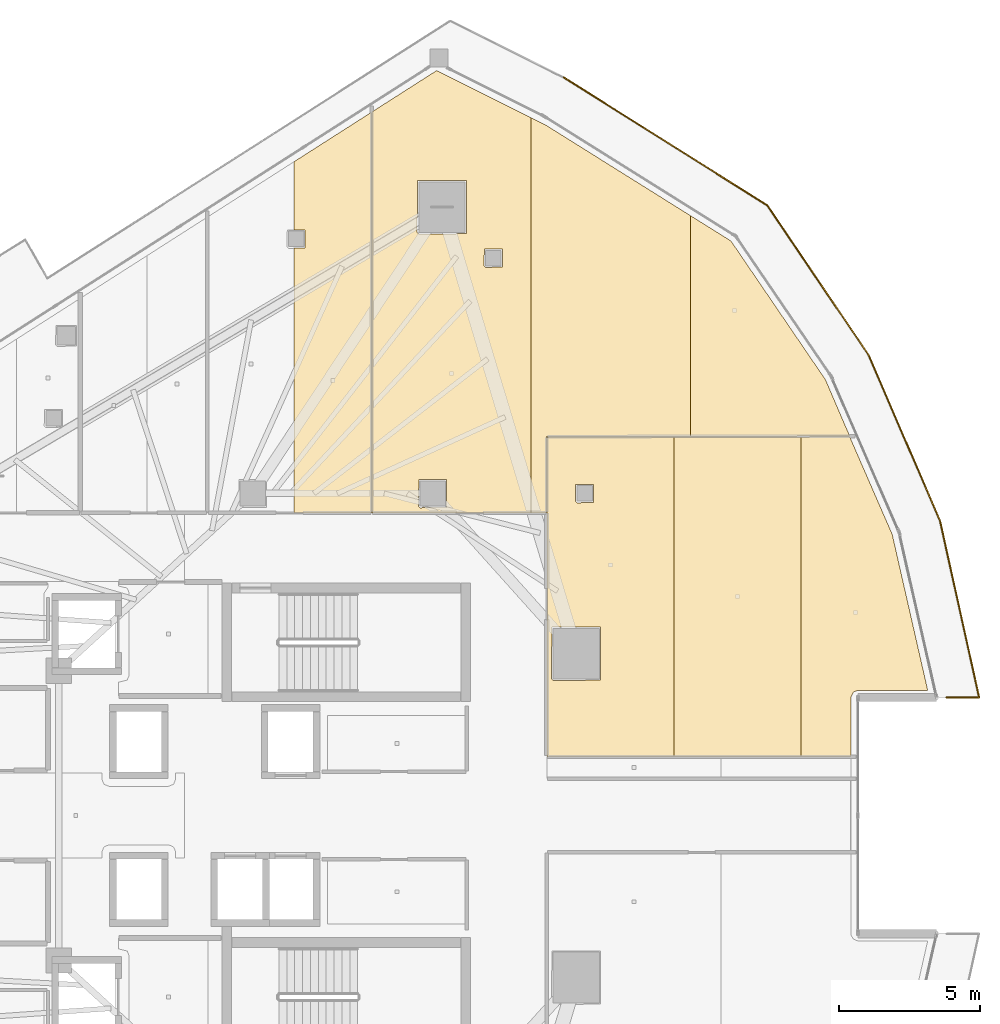
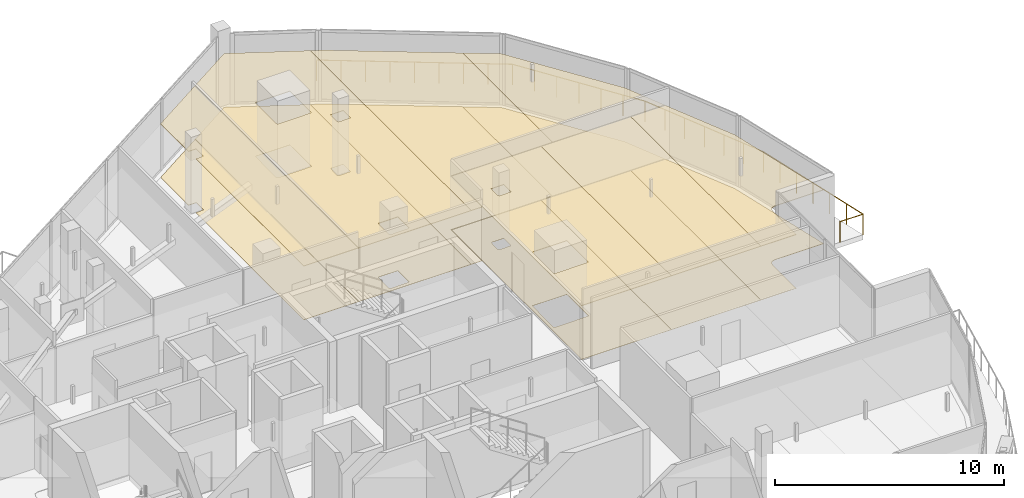
# One storey, part 40 of 40: 14 coverings, 1 railing.
"""IFC4 building model written with IfcOpenShell, lengths in metres."""

import ifcopenshell
import ifcopenshell.guid

model = None  # the IFC model being written
_history = None  # IfcOwnerHistory: only IFC2X3 demands one
_inside = {}  # id of a spatial element -> (the spatial element, [elements in it])
_under = {}  # id of a project, library or spatial element -> (it, [spatial elements below it])
_declared = {}  # id of a project -> (the project, [libraries it declares])
_typed = {}  # id of a type object -> (the type object, [elements of that type])
_made_of = {}  # id of a material, layer set ... -> (it, [elements and type objects made of it])


def new_model(schema):
    """Start an empty IFC model of exactly this schema.

    Asked for "IFC4X3", IfcOpenShell would pick the latest addendum, in which some entities
    have other attributes; the version numbers below select the first issue.
    IFC2X3 requires an IfcOwnerHistory on every rooted entity: one is made here for all.
    """
    global model, _history
    if schema == "IFC4X3":
        model = ifcopenshell.file(schema_version=(4, 3, 0, 0))
    else:
        model = ifcopenshell.file(schema=schema)
    _inside.clear()
    _under.clear()
    _declared.clear()
    _typed.clear()
    _made_of.clear()
    _history = None
    if model.schema == "IFC2X3":
        org = make("IfcOrganization", Name="unknown")
        user = make(
            "IfcPersonAndOrganization",
            ThePerson=make("IfcPerson", FamilyName="unknown"),
            TheOrganization=org,
        )
        app = make(
            "IfcApplication",
            ApplicationDeveloper=org,
            Version="unknown",
            ApplicationFullName="unknown",
            ApplicationIdentifier="unknown",
        )
        _history = make(
            "IfcOwnerHistory",
            OwningUser=user,
            OwningApplication=app,
            ChangeAction="ADDED",
            CreationDate=0,
        )
    return model


def make(cls, **values):
    """One entity of the class cls with the attributes given. An attribute that is None is left unset."""
    return model.create_entity(
        cls, **{name: value for name, value in values.items() if value is not None}
    )


def rooted(cls, **values):
    """An entity with a GlobalId (a new one), such as an element, a storey or a relation."""
    return make(cls, GlobalId=ifcopenshell.guid.new(), OwnerHistory=_history, **values)


def si_unit(unit_type, name, prefix=None):
    """IfcSIUnit, for example si_unit("LENGTHUNIT", "METRE", prefix="MILLI")."""
    return make("IfcSIUnit", UnitType=unit_type, Prefix=prefix, Name=name)


def assignment(units):
    """IfcUnitAssignment: the units of a project."""
    return None if units is None else make("IfcUnitAssignment", Units=units)


def point(xyz):
    """IfcCartesianPoint."""
    return None if xyz is None else make("IfcCartesianPoint", Coordinates=xyz)


def direction(xyz):
    """IfcDirection."""
    return None if xyz is None else make("IfcDirection", DirectionRatios=xyz)


def frame(location, z_axis=None, x_axis=None):
    """IfcAxis2Placement3D, a coordinate frame: its origin and axes. An axis left out is left unset."""
    return make(
        "IfcAxis2Placement3D",
        Location=point(location),
        Axis=direction(z_axis),
        RefDirection=direction(x_axis),
    )


def frame_2d(location, x_axis=None):
    """IfcAxis2Placement2D, a coordinate frame in the plane: its origin and x axis."""
    return make(
        "IfcAxis2Placement2D", Location=point(location), RefDirection=direction(x_axis)
    )


def origin():
    """The frame at (0, 0, 0) with its axes left unset."""
    return frame((0.0, 0.0, 0.0))


def origin_2d():
    """The frame at (0, 0) in the plane with its x axis left unset."""
    return frame_2d((0.0, 0.0))


def place(relative_to, where):
    """IfcLocalPlacement: puts the frame where relative to a parent placement (None: the world)."""
    return make(
        "IfcLocalPlacement", PlacementRelTo=relative_to, RelativePlacement=where
    )


def context(
    kind, dimensions, precision=None, world=None, true_north=None, identifier=None
):
    """IfcGeometricRepresentationContext, for example the 3D "Model" context."""
    return make(
        "IfcGeometricRepresentationContext",
        ContextIdentifier=identifier,
        ContextType=kind,
        CoordinateSpaceDimension=dimensions,
        Precision=precision,
        WorldCoordinateSystem=world,
        TrueNorth=true_north,
    )


def subcontext(parent, identifier, kind, view, scale=None):
    """IfcGeometricRepresentationSubContext, for example "Body" below "Model"."""
    return make(
        "IfcGeometricRepresentationSubContext",
        ContextIdentifier=identifier,
        ContextType=kind,
        ParentContext=parent,
        TargetScale=scale,
        TargetView=view,
    )


def project(units=None, contexts=None):
    """IfcProject with its units and contexts."""
    return rooted(
        "IfcProject",
        Name="project",
        RepresentationContexts=contexts,
        UnitsInContext=assignment(units),
    )


def spatial(cls, under=None, at=None, **own):
    """A site, building, storey or space (cls), placed at a placement, below another one or the project."""
    s = rooted(cls, ObjectPlacement=at, **own)
    if under is not None:
        _under.setdefault(under.id(), (under, []))[1].append(s)
    return s


def polyline(points):
    """IfcPolyline through the points."""
    return make("IfcPolyline", Points=[point(p) for p in points])


def profile(cls, at=None, kind="AREA", **sizes):
    """A parametric profile (cls). Its sizes go by their IFC names, for example OverallWidth=200.0."""
    return make(cls, ProfileType=kind, Position=at, **sizes)


def circle(**sizes):
    """IfcCircleProfileDef."""
    return profile("IfcCircleProfileDef", **sizes)


def outline(outer, holes=None, kind="AREA"):
    """IfcArbitraryClosedProfileDef: a profile drawn as a closed curve; with holes, ...WithVoids."""
    if holes is None:
        return make("IfcArbitraryClosedProfileDef", ProfileType=kind, OuterCurve=outer)
    return make(
        "IfcArbitraryProfileDefWithVoids",
        ProfileType=kind,
        OuterCurve=outer,
        InnerCurves=holes,
    )


def extrude(swept, where, along, depth):
    """IfcExtrudedAreaSolid: the profile swept, set in the frame where, extruded along a direction by depth."""
    return make(
        "IfcExtrudedAreaSolid",
        SweptArea=swept,
        Position=where,
        ExtrudedDirection=direction(along),
        Depth=depth,
    )


def shape(context_of_items, identifier, shape_type, items):
    """IfcShapeRepresentation: the items that make up one representation, for example the "Body"."""
    return make(
        "IfcShapeRepresentation",
        ContextOfItems=context_of_items,
        RepresentationIdentifier=identifier,
        RepresentationType=shape_type,
        Items=items,
    )


def material(Name=None, Category=None):
    """IfcMaterial."""
    return make("IfcMaterial", Name=Name, Category=Category)


def layer(
    of_material, thickness, ventilated=None, Name=None, Category=None, Priority=None
):
    """IfcMaterialLayer: one layer of a wall or slab, of a material (None: an air gap)."""
    return make(
        "IfcMaterialLayer",
        Material=of_material,
        LayerThickness=thickness,
        IsVentilated=ventilated,
        Name=Name,
        Category=Category,
        Priority=Priority,
    )


def layer_set(layers, Name=None):
    """IfcMaterialLayerSet."""
    return make("IfcMaterialLayerSet", MaterialLayers=layers, LayerSetName=Name)


def made_of(thing, what):
    """Note that an element or type object is made of a material, layer set ...; save() writes the relation."""
    if what is not None:
        _made_of.setdefault(what.id(), (what, []))[1].append(thing)
    return thing


def type_object(cls, material=None, **own):
    """A type object (cls), such as IfcWallType, which elements share."""
    return made_of(rooted(cls, **own), material)


def element(
    cls,
    number,
    at=None,
    inside=None,
    cuts=None,
    type_object=None,
    material=None,
    context=None,
    identifier="Body",
    shape_type=None,
    held_by="IfcProductDefinitionShape",
    body=None,
    shapes=None,
    **own,
):
    """One element of the class cls, such as IfcWall. Its Tag is "e" and its number.

    at: its placement. inside: the storey or other place that contains it. cuts: it is an
    opening in that element (IfcRelVoidsElement). A single representation is given by context,
    identifier, shape_type and body (its items); several are given by shapes. held_by: the class
    of the entity that holds the representations. save() writes the other relations.
    """
    e = rooted(cls, Tag="e%d" % number, ObjectPlacement=at, **own)
    if body is not None:
        shapes = [shape(context, identifier, shape_type, body)]
    if shapes is not None:
        e.Representation = make(held_by, Representations=shapes)
    if inside is not None:
        _inside.setdefault(inside.id(), (inside, []))[1].append(e)
    if cuts is not None:
        rooted(
            "IfcRelVoidsElement", RelatingBuildingElement=cuts, RelatedOpeningElement=e
        )
    if type_object is not None:
        _typed.setdefault(type_object.id(), (type_object, []))[1].append(e)
    return made_of(e, material)


def aggregate(whole, parts):
    """IfcRelAggregates: a whole, such as a stair, and the parts it consists of."""
    return rooted("IfcRelAggregates", RelatingObject=whole, RelatedObjects=parts)


def save(model, path):
    """Write the relations noted so far, then the file.

    IfcRelAggregates (storeys below a building ...), IfcRelContainedInSpatialStructure (elements
    in a storey), IfcRelDefinesByType, IfcRelAssociatesMaterial and IfcRelDeclares: one each for
    every whole, place, type object, material and project.
    """
    for whole, parts in _under.values():
        aggregate(whole, parts)
    for where, things in _inside.values():
        rooted(
            "IfcRelContainedInSpatialStructure",
            RelatedElements=things,
            RelatingStructure=where,
        )
    for kind, things in _typed.values():
        rooted("IfcRelDefinesByType", RelatedObjects=things, RelatingType=kind)
    for what, things in _made_of.values():
        rooted("IfcRelAssociatesMaterial", RelatedObjects=things, RelatingMaterial=what)
    for by, libraries in _declared.values():
        rooted("IfcRelDeclares", RelatingContext=by, RelatedDefinitions=libraries)
    model.write(path)


model = new_model("IFC4")

# Units and contexts
model_context = context("Model", 3, precision=1e-05, world=origin(), true_north=direction((0.0, 1.0)))
body_context = subcontext(model_context, "Body", "Model", "MODEL_VIEW")
ifc_project = project(units=[si_unit("LENGTHUNIT", "METRE"), si_unit("AREAUNIT", "SQUARE_METRE"), si_unit("VOLUMEUNIT", "CUBIC_METRE"), si_unit("PLANEANGLEUNIT", "RADIAN"), si_unit("MASSUNIT", "GRAM", prefix="KILO")], contexts=[model_context])

# Site, building, storey
site_placement = place(None, origin())
site = spatial("IfcSite", under=ifc_project, at=site_placement, CompositionType="ELEMENT")
building_placement = place(site_placement, origin())
building = spatial("IfcBuilding", under=site, at=building_placement, Name="Qorvath Tower", CompositionType="ELEMENT")
storey_placement = place(building_placement, frame((0.0, 0.0, 225.300048828125)))
storey = spatial("IfcBuildingStorey", under=building, at=storey_placement, Name="L52", CompositionType="ELEMENT", Elevation=225.300048828125)

# Coverings
ifc_material_1 = material(Name="Acoustic mineral fibre ceiling tile", Category="gypsum")
ifc_layer_1 = layer(ifc_material_1, 0.030029296875)
ifc_layer_set_1 = layer_set([ifc_layer_1], Name="COV-CEIL")
covering_type_1 = type_object("IfcCoveringType", Name="COV-CEIL", PredefinedType="CEILING", material=ifc_layer_set_1)
covering_1_placement = place(storey_placement, frame((0.0, 0.0, 2.849853515625)))
element("IfcCovering", 1, at=covering_1_placement, inside=storey, type_object=covering_type_1, Name="L52 Suspended Acoustic Ceiling 017", PredefinedType="CEILING", context=body_context, shape_type="SweptSolid", body=[
    extrude(outline(polyline([(-22.124267578125, 23.2451171875), (-22.124267578125, 20.812255859375), (-21.73583984375, 20.812255859375), (-21.73583984375, 20.177490234375), (-22.124267578125, 20.166015625), (-22.124267578125, 10.762939453125), (-19.379150390625, 10.762939453125), (-19.379150390625, 24.999755859375), (-22.124267578125, 23.2451171875)])), origin(), (0.0, 0.0, 1.0), 0.030029296875),
])
covering_2_placement = place(storey_placement, frame((0.0, 0.0, 2.849853515625)))
element("IfcCovering", 2, at=covering_2_placement, inside=storey, type_object=covering_type_1, Name="L52 Suspended Acoustic Ceiling 018", PredefinedType="CEILING", context=body_context, shape_type="SweptSolid", body=[
    extrude(outline(polyline([(-13.7001953125, 10.762939453125), (-13.7001953125, 24.79736328125), (-17.0595703125, 26.482177734375), (-19.361083984375, 25.01123046875), (-19.361083984375, 10.762939453125), (-13.7001953125, 10.762939453125)]), holes=[polyline([(-15.381103515625, 19.543212890625), (-15.363525390625, 20.135498046875), (-14.728759765625, 20.135498046875), (-14.728759765625, 19.500732421875), (-15.321044921875, 19.483154296875), (-15.381103515625, 19.543212890625)]), polyline([(-17.756591796875, 20.72705078125), (-17.739013671875, 22.569580078125), (-16.00439453125, 22.569580078125), (-16.00439453125, 20.6845703125), (-17.69677734375, 20.6669921875), (-17.756591796875, 20.72705078125)]), polyline([(-17.7099609375, 11.0), (-17.6923828125, 11.9423828125), (-16.70751953125, 11.9423828125), (-16.70751953125, 10.95751953125), (-17.64990234375, 10.93994140625), (-17.7099609375, 11.0)])]), origin(), (0.0, 0.0, 1.0), 0.030029296875),
])
covering_3_placement = place(storey_placement, frame((0.0, 0.0, 2.849853515625)))
element("IfcCovering", 3, at=covering_3_placement, inside=storey, type_object=covering_type_1, Name="L52 Suspended Acoustic Ceiling 019", PredefinedType="CEILING", context=body_context, shape_type="SweptSolid", body=[
    extrude(outline(polyline([(-8.039306640625, 13.480224609375), (-8.039306640625, 21.3232421875), (-13.141845703125, 24.517333984375), (-13.7001953125, 24.79736328125), (-13.7001953125, 10.762939453125), (-13.155029296875, 10.762939453125), (-13.14990234375, 13.476806640625), (-8.039306640625, 13.480224609375)])), origin(), (0.0, 0.0, 1.0), 0.030029296875),
])
covering_4_placement = place(storey_placement, frame((0.0, 0.0, 2.849853515625)))
element("IfcCovering", 4, at=covering_4_placement, inside=storey, type_object=covering_type_1, Name="L52 Suspended Acoustic Ceiling 020", PredefinedType="CEILING", context=body_context, shape_type="SweptSolid", body=[
    extrude(outline(polyline([(-6.598876953125, 20.421630859375), (-8.039306640625, 21.3232421875), (-8.039306640625, 13.480224609375), (-2.37841796875, 13.484130859375), (-3.24267578125, 15.494873046875), (-6.598876953125, 20.421630859375)])), origin(), (0.0, 0.0, 1.0), 0.030029296875),
])
covering_5_placement = place(storey_placement, frame((0.0, 0.0, 2.849853515625)))
element("IfcCovering", 5, at=covering_5_placement, inside=storey, type_object=covering_type_1, Name="L52 Suspended Acoustic Ceiling 036", PredefinedType="CEILING", context=body_context, shape_type="SweptSolid", body=[
    extrude(outline(polyline([(-8.626953125, 2.1083984375), (-8.626953125, 13.4619140625), (-13.136962890625, 13.458740234375), (-13.136962890625, 2.1083984375), (-8.626953125, 2.1083984375)]), holes=[polyline([(-12.981689453125, 4.85791015625), (-12.964111328125, 6.700439453125), (-11.2294921875, 6.700439453125), (-11.2294921875, 4.8154296875), (-12.921875, 4.7978515625), (-12.981689453125, 4.85791015625)]), polyline([(-12.135009765625, 11.175048828125), (-12.117431640625, 11.767333984375), (-11.482666015625, 11.767333984375), (-11.482666015625, 11.132568359375), (-12.074951171875, 11.114990234375), (-12.135009765625, 11.175048828125)])]), origin(), (0.0, 0.0, 1.0), 0.030029296875),
])
covering_6_placement = place(storey_placement, frame((0.0, 0.0, 2.849853515625)))
element("IfcCovering", 6, at=covering_6_placement, inside=storey, type_object=covering_type_1, Name="L52 Suspended Acoustic Ceiling 037", PredefinedType="CEILING", context=body_context, shape_type="SweptSolid", body=[
    extrude(outline(polyline([(-4.116943359375, 2.1083984375), (-4.116943359375, 13.46484375), (-8.626953125, 13.4619140625), (-8.626953125, 2.1083984375), (-4.116943359375, 2.1083984375)])), origin(), (0.0, 0.0, 1.0), 0.030029296875),
])
covering_7_placement = place(storey_placement, frame((0.0, 0.0, 2.849853515625)))
element("IfcCovering", 7, at=covering_7_placement, inside=storey, type_object=covering_type_1, Name="L52 Suspended Acoustic Ceiling 038", PredefinedType="CEILING", context=body_context, shape_type="SweptSolid", body=[
    extrude(outline(polyline([(-2.086181640625, 4.450439453125), (0.39306640625, 4.45068359375), (-0.86962890625, 9.998291015625), (-2.380615234375, 13.466064453125), (-4.116943359375, 13.46484375), (-4.116943359375, 2.1083984375), (-2.339599609375, 2.1083984375), (-2.339599609375, 4.19580078125), (-2.24755859375, 4.39111328125), (-2.086181640625, 4.450439453125)])), origin(), (0.0, 0.0, 1.0), 0.030029296875),
])
ifc_material_2 = material(Name="Low-VOC modular carpet tile", Category="textile")
ifc_layer_2 = layer(ifc_material_2, 0.014892578125)
ifc_layer_set_2 = layer_set([ifc_layer_2], Name="COV-FLOOR-CPT")
covering_type_2 = type_object("IfcCoveringType", Name="COV-FLOOR-CPT", PredefinedType="FLOORING", material=ifc_layer_set_2)
covering_8_placement = place(storey_placement, origin())
element("IfcCovering", 8, at=covering_8_placement, inside=storey, type_object=covering_type_2, Name="L52 Floor Finish 017", PredefinedType="FLOORING", context=body_context, shape_type="SweptSolid", body=[
    extrude(outline(polyline([(-22.124267578125, 23.2451171875), (-22.124267578125, 20.812255859375), (-21.73583984375, 20.812255859375), (-21.73583984375, 20.177490234375), (-22.124267578125, 20.166015625), (-22.124267578125, 10.762939453125), (-19.379150390625, 10.762939453125), (-19.379150390625, 24.999755859375), (-22.124267578125, 23.2451171875)])), origin(), (0.0, 0.0, 1.0), 0.014892578125),
])
covering_9_placement = place(storey_placement, origin())
element("IfcCovering", 9, at=covering_9_placement, inside=storey, type_object=covering_type_2, Name="L52 Floor Finish 018", PredefinedType="FLOORING", context=body_context, shape_type="SweptSolid", body=[
    extrude(outline(polyline([(-13.7001953125, 10.762939453125), (-13.7001953125, 24.79736328125), (-17.0595703125, 26.482177734375), (-19.361083984375, 25.01123046875), (-19.361083984375, 10.762939453125), (-13.7001953125, 10.762939453125)]), holes=[polyline([(-15.381103515625, 19.543212890625), (-15.363525390625, 20.135498046875), (-14.728759765625, 20.135498046875), (-14.728759765625, 19.500732421875), (-15.321044921875, 19.483154296875), (-15.381103515625, 19.543212890625)]), polyline([(-17.756591796875, 20.72705078125), (-17.739013671875, 22.569580078125), (-16.00439453125, 22.569580078125), (-16.00439453125, 20.6845703125), (-17.69677734375, 20.6669921875), (-17.756591796875, 20.72705078125)]), polyline([(-17.7099609375, 11.0), (-17.6923828125, 11.9423828125), (-16.70751953125, 11.9423828125), (-16.70751953125, 10.95751953125), (-17.64990234375, 10.93994140625), (-17.7099609375, 11.0)])]), origin(), (0.0, 0.0, 1.0), 0.014892578125),
])
covering_10_placement = place(storey_placement, origin())
element("IfcCovering", 10, at=covering_10_placement, inside=storey, type_object=covering_type_2, Name="L52 Floor Finish 019", PredefinedType="FLOORING", context=body_context, shape_type="SweptSolid", body=[
    extrude(outline(polyline([(-8.039306640625, 13.480224609375), (-8.039306640625, 21.3232421875), (-13.141845703125, 24.517333984375), (-13.7001953125, 24.79736328125), (-13.7001953125, 10.762939453125), (-13.155029296875, 10.762939453125), (-13.14990234375, 13.476806640625), (-8.039306640625, 13.480224609375)])), origin(), (0.0, 0.0, 1.0), 0.014892578125),
])
covering_11_placement = place(storey_placement, origin())
element("IfcCovering", 11, at=covering_11_placement, inside=storey, type_object=covering_type_2, Name="L52 Floor Finish 020", PredefinedType="FLOORING", context=body_context, shape_type="SweptSolid", body=[
    extrude(outline(polyline([(-6.598876953125, 20.421630859375), (-8.039306640625, 21.3232421875), (-8.039306640625, 13.480224609375), (-2.37841796875, 13.484130859375), (-3.24267578125, 15.494873046875), (-6.598876953125, 20.421630859375)])), origin(), (0.0, 0.0, 1.0), 0.014892578125),
])
covering_12_placement = place(storey_placement, origin())
element("IfcCovering", 12, at=covering_12_placement, inside=storey, type_object=covering_type_2, Name="L52 Floor Finish 036", PredefinedType="FLOORING", context=body_context, shape_type="SweptSolid", body=[
    extrude(outline(polyline([(-8.626953125, 2.1083984375), (-8.626953125, 13.4619140625), (-13.136962890625, 13.458740234375), (-13.136962890625, 2.1083984375), (-8.626953125, 2.1083984375)]), holes=[polyline([(-12.981689453125, 4.85791015625), (-12.964111328125, 6.700439453125), (-11.2294921875, 6.700439453125), (-11.2294921875, 4.8154296875), (-12.921875, 4.7978515625), (-12.981689453125, 4.85791015625)]), polyline([(-12.135009765625, 11.175048828125), (-12.117431640625, 11.767333984375), (-11.482666015625, 11.767333984375), (-11.482666015625, 11.132568359375), (-12.074951171875, 11.114990234375), (-12.135009765625, 11.175048828125)])]), origin(), (0.0, 0.0, 1.0), 0.014892578125),
])
covering_13_placement = place(storey_placement, origin())
element("IfcCovering", 13, at=covering_13_placement, inside=storey, type_object=covering_type_2, Name="L52 Floor Finish 037", PredefinedType="FLOORING", context=body_context, shape_type="SweptSolid", body=[
    extrude(outline(polyline([(-4.116943359375, 2.1083984375), (-4.116943359375, 13.46484375), (-8.626953125, 13.4619140625), (-8.626953125, 2.1083984375), (-4.116943359375, 2.1083984375)])), origin(), (0.0, 0.0, 1.0), 0.014892578125),
])
covering_14_placement = place(storey_placement, origin())
element("IfcCovering", 14, at=covering_14_placement, inside=storey, type_object=covering_type_2, Name="L52 Floor Finish 038", PredefinedType="FLOORING", context=body_context, shape_type="SweptSolid", body=[
    extrude(outline(polyline([(-2.086181640625, 4.450439453125), (0.39306640625, 4.45068359375), (-0.86962890625, 9.998291015625), (-2.380615234375, 13.466064453125), (-4.116943359375, 13.46484375), (-4.116943359375, 2.1083984375), (-2.339599609375, 2.1083984375), (-2.339599609375, 4.19580078125), (-2.24755859375, 4.39111328125), (-2.086181640625, 4.450439453125)])), origin(), (0.0, 0.0, 1.0), 0.014892578125),
])

# Railing
ifc_material_3 = material(Name="Laminated safety glass and stainless steel AISI 316", Category="steel")
railing_type = type_object("IfcRailingType", Name="RL-EXT-GRD", PredefinedType="GUARDRAIL", material=ifc_material_3)
railing_placement = place(storey_placement, frame((-12.544189453125, 26.23876953125, 0.0)))
element("IfcRailing", 15, at=railing_placement, inside=storey, type_object=railing_type, Name="Loggia Perimeter Guardrail L52-1.1", PredefinedType="GUARDRAIL", context=body_context, shape_type="SweptSolid", body=[
    extrude(circle(Radius=0.02392578125, at=origin_2d()), frame((0.0, 0.0, 1.09619140625), z_axis=(0.846500423706, -0.532388047072, 0.0), x_axis=(0.532388047072, 0.846500423706, 0.0)), (0.0, 0.0, 1.0), 8.544189453125),
    extrude(circle(Radius=0.02392578125, at=origin_2d()), frame((7.232666015625, -4.548828125, 1.09619140625), z_axis=(0.560814537223, -0.827941456166, 0.0), x_axis=(0.827941456166, 0.560814537223, 0.0)), (0.0, 0.0, 1.0), 6.425048828125),
    extrude(circle(Radius=0.02392578125, at=origin_2d()), frame((10.8359375, -9.868408203125, 1.09619140625), z_axis=(0.395477939394, -0.918475475695, 0.0), x_axis=(0.918475475695, 0.395477939394, 0.0)), (0.0, 0.0, 1.0), 6.42529296875),
    extrude(circle(Radius=0.02392578125, at=origin_2d()), frame((13.376953125, -15.769775390625, 1.09619140625), z_axis=(0.216097540883, -0.976371780023, 0.0), x_axis=(0.976371780023, 0.216097540883, 0.0)), (0.0, 0.0, 1.0), 6.425048828125),
    extrude(circle(Radius=0.02392578125, at=origin_2d()), frame((14.765380859375, -22.04296875, 1.09619140625), z_axis=(-1.0, 0.0, 0.0), x_axis=(0.0, -1.0, 0.0)), (0.0, 0.0, 1.0), 1.15869140625),
    extrude(circle(Radius=0.02099609375, at=origin_2d()), origin(), (0.0, 0.0, 1.0), 1.072021484375),
    extrude(circle(Radius=0.02099609375, at=origin_2d()), frame((0.904052734375, -0.568603515625, 0.0)), (0.0, 0.0, 1.0), 1.072021484375),
    extrude(circle(Radius=0.02099609375, at=origin_2d()), frame((1.80810546875, -1.13720703125, 0.0)), (0.0, 0.0, 1.0), 1.072021484375),
    extrude(circle(Radius=0.02099609375, at=origin_2d()), frame((2.712158203125, -1.705810546875, 0.0)), (0.0, 0.0, 1.0), 1.072021484375),
    extrude(circle(Radius=0.02099609375, at=origin_2d()), frame((3.6162109375, -2.2744140625, 0.0)), (0.0, 0.0, 1.0), 1.072021484375),
    extrude(circle(Radius=0.02099609375, at=origin_2d()), frame((4.5205078125, -2.843017578125, 0.0)), (0.0, 0.0, 1.0), 1.072021484375),
    extrude(circle(Radius=0.02099609375, at=origin_2d()), frame((5.424560546875, -3.41162109375, 0.0)), (0.0, 0.0, 1.0), 1.072021484375),
    extrude(circle(Radius=0.02099609375, at=origin_2d()), frame((6.32861328125, -3.980224609375, 0.0)), (0.0, 0.0, 1.0), 1.072021484375),
    extrude(circle(Radius=0.02099609375, at=origin_2d()), frame((7.232666015625, -4.548828125, 0.0)), (0.0, 0.0, 1.0), 1.072021484375),
    extrude(circle(Radius=0.02099609375, at=origin_2d()), frame((7.833251953125, -5.435546875, 0.0)), (0.0, 0.0, 1.0), 1.072021484375),
    extrude(circle(Radius=0.02099609375, at=origin_2d()), frame((8.433837890625, -6.322021484375, 0.0)), (0.0, 0.0, 1.0), 1.072021484375),
    extrude(circle(Radius=0.02099609375, at=origin_2d()), frame((9.0341796875, -7.20849609375, 0.0)), (0.0, 0.0, 1.0), 1.072021484375),
    extrude(circle(Radius=0.02099609375, at=origin_2d()), frame((9.634765625, -8.09521484375, 0.0)), (0.0, 0.0, 1.0), 1.072021484375),
    extrude(circle(Radius=0.02099609375, at=origin_2d()), frame((10.2353515625, -8.98193359375, 0.0)), (0.0, 0.0, 1.0), 1.072021484375),
    extrude(circle(Radius=0.02099609375, at=origin_2d()), frame((10.8359375, -9.868408203125, 0.0)), (0.0, 0.0, 1.0), 1.072021484375),
    extrude(circle(Radius=0.02099609375, at=origin_2d()), frame((11.259521484375, -10.85205078125, 0.0)), (0.0, 0.0, 1.0), 1.072021484375),
    extrude(circle(Radius=0.02099609375, at=origin_2d()), frame((11.682861328125, -11.83544921875, 0.0)), (0.0, 0.0, 1.0), 1.072021484375),
    extrude(circle(Radius=0.02099609375, at=origin_2d()), frame((12.1064453125, -12.819091796875, 0.0)), (0.0, 0.0, 1.0), 1.072021484375),
    extrude(circle(Radius=0.02099609375, at=origin_2d()), frame((12.530029296875, -13.802734375, 0.0)), (0.0, 0.0, 1.0), 1.072021484375),
    extrude(circle(Radius=0.02099609375, at=origin_2d()), frame((12.953369140625, -14.7861328125, 0.0)), (0.0, 0.0, 1.0), 1.072021484375),
    extrude(circle(Radius=0.02099609375, at=origin_2d()), frame((13.376953125, -15.769775390625, 0.0)), (0.0, 0.0, 1.0), 1.072021484375),
    extrude(circle(Radius=0.02099609375, at=origin_2d()), frame((13.6083984375, -16.8154296875, 0.0)), (0.0, 0.0, 1.0), 1.072021484375),
    extrude(circle(Radius=0.02099609375, at=origin_2d()), frame((13.83984375, -17.86083984375, 0.0)), (0.0, 0.0, 1.0), 1.072021484375),
    extrude(circle(Radius=0.02099609375, at=origin_2d()), frame((14.0712890625, -18.90625, 0.0)), (0.0, 0.0, 1.0), 1.072021484375),
    extrude(circle(Radius=0.02099609375, at=origin_2d()), frame((14.302490234375, -19.951904296875, 0.0)), (0.0, 0.0, 1.0), 1.072021484375),
    extrude(circle(Radius=0.02099609375, at=origin_2d()), frame((14.533935546875, -20.99755859375, 0.0)), (0.0, 0.0, 1.0), 1.072021484375),
    extrude(circle(Radius=0.02099609375, at=origin_2d()), frame((14.765380859375, -22.04296875, 0.0)), (0.0, 0.0, 1.0), 1.072021484375),
    extrude(circle(Radius=0.02099609375, at=origin_2d()), frame((13.606689453125, -22.04296875, 0.0)), (0.0, 0.0, 1.0), 1.072021484375),
])

save(model, "model.ifc")
